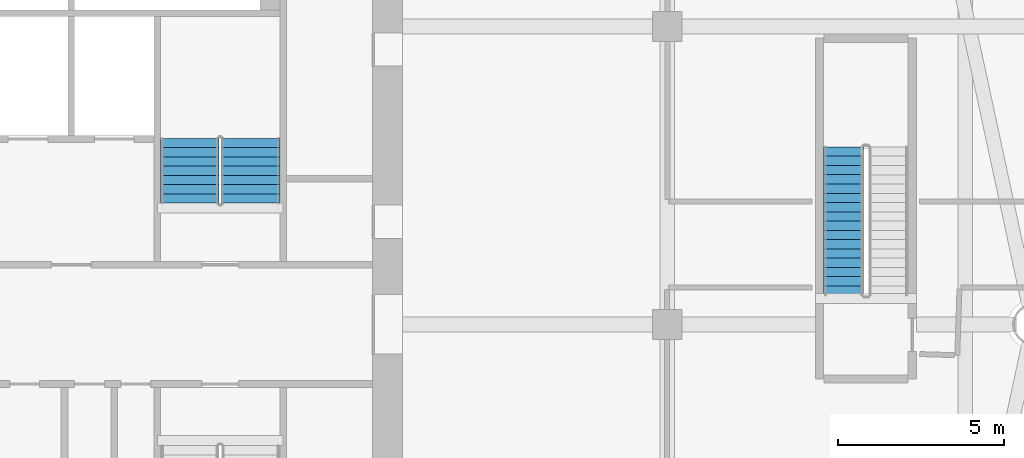
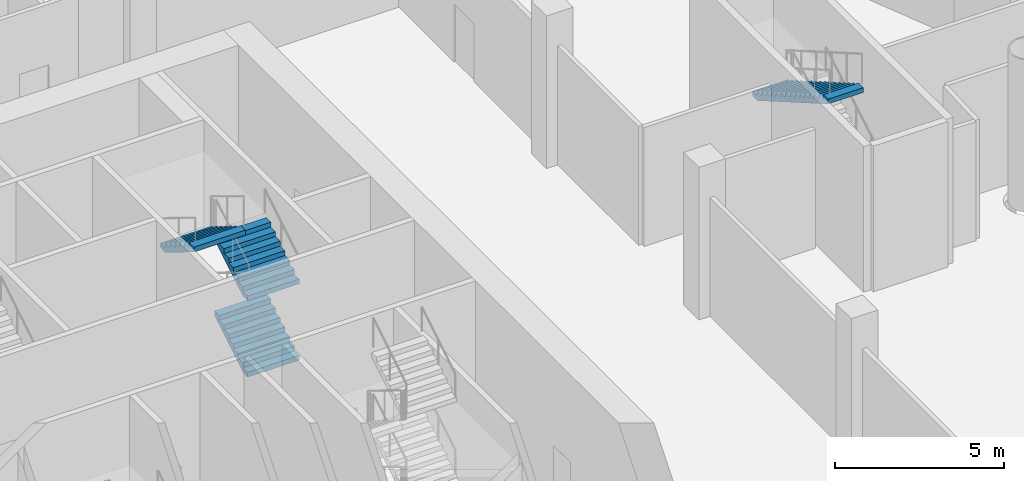
# One storey, part 16 of 23: 4 stair flights, 2 elements without a shape of their own.
"""IFC4 building model written with IfcOpenShell, lengths in metres."""

from ifc_helpers import new_model, si_unit, direction, frame, origin, place, context, subcontext, project, spatial, faceted_brep, material, type_object, element, aggregate, save


model = new_model("IFC4")

# Units and contexts
model_context = context("Model", 3, precision=1e-05, world=origin(), true_north=direction((0.0, 1.0)))
body_context = subcontext(model_context, "Body", "Model", "MODEL_VIEW")
ifc_project = project(units=[si_unit("LENGTHUNIT", "METRE"), si_unit("AREAUNIT", "SQUARE_METRE"), si_unit("VOLUMEUNIT", "CUBIC_METRE"), si_unit("PLANEANGLEUNIT", "RADIAN"), si_unit("MASSUNIT", "GRAM", prefix="KILO")], contexts=[model_context])

# Site, building, storey
site_placement = place(None, origin())
site = spatial("IfcSite", under=ifc_project, at=site_placement, CompositionType="ELEMENT")
building_placement = place(site_placement, origin())
building = spatial("IfcBuilding", under=site, at=building_placement, Name="Tarsis Ring Headquarters", CompositionType="ELEMENT")
storey_placement = place(building_placement, frame((0.0, 0.0, 19.5)))
storey = spatial("IfcBuildingStorey", under=building, at=storey_placement, Name="L03", CompositionType="ELEMENT", Elevation=19.5)

# Stair, stair flights
ifc_material_1 = material(Name="Core stair 1760")
stair_type_1 = type_object("IfcStairType", Name="Core stair 1760", PredefinedType="HALF_TURN_STAIR", material=ifc_material_1)
stair_1_placement = place(storey_placement, origin())
stair_1 = element("IfcStair", 1, at=stair_1_placement, inside=storey, type_object=stair_type_1, Name="L03 Exit stair B", PredefinedType="HALF_TURN_STAIR")
ifc_material_2 = material(Name="Concrete C40/50", Category="concrete")
stair_flight_type_1 = type_object("IfcStairFlightType", Name="Core stair flight 1760", PredefinedType="STRAIGHT", material=ifc_material_2)
stair_flight_1_placement = place(storey_placement, frame((5.419921875, 3.659912109375, 0.0), z_axis=(0.0, 0.0, 1.0), x_axis=(0.0, 1.0, 0.0)))
stair_flight_1 = element("IfcStairFlight", 2, at=stair_flight_1_placement, type_object=stair_flight_type_1, Name="Stair ST2 flight 1", NumberOfRisers=8, NumberOfTreads=7, PredefinedType="STRAIGHT", RiserHeight=0.171875, TreadLength=0.28, context=body_context, shape_type="Brep", body=[
    faceted_brep([(0.0, 0.8798828125, 0.0), (0.0, 0.8798828125, 0.171875), (0.280029296875, 0.8798828125, 0.171875), (0.280029296875, 0.8798828125, 0.34375), (0.56005859375, 0.8798828125, 0.34375), (0.56005859375, 0.8798828125, 0.515625), (0.840087890625, 0.8798828125, 0.515625), (0.840087890625, 0.8798828125, 0.6875), (1.1201171875, 0.8798828125, 0.6875), (1.1201171875, 0.8798828125, 0.859375), (1.39990234375, 0.8798828125, 0.859375), (1.39990234375, 0.8798828125, 1.03125), (1.679931640625, 0.8798828125, 1.03125), (1.679931640625, 0.8798828125, 1.203125), (1.9599609375, 0.8798828125, 1.203125), (1.9599609375, 0.8798828125, 1.02734375), (0.28662109375, 0.8798828125, 0.0), (0.28662109375, -0.8798828125, 0.0), (1.9599609375, -0.8798828125, 1.02734375), (1.9599609375, -0.8798828125, 1.203125), (1.679931640625, -0.8798828125, 1.203125), (1.679931640625, -0.8798828125, 1.03125), (1.39990234375, -0.8798828125, 1.03125), (1.39990234375, -0.8798828125, 0.859375), (1.1201171875, -0.8798828125, 0.859375), (1.1201171875, -0.8798828125, 0.6875), (0.840087890625, -0.8798828125, 0.6875), (0.840087890625, -0.8798828125, 0.515625), (0.56005859375, -0.8798828125, 0.515625), (0.56005859375, -0.8798828125, 0.34375), (0.280029296875, -0.8798828125, 0.34375), (0.280029296875, -0.8798828125, 0.171875), (0.0, -0.8798828125, 0.171875), (0.0, -0.8798828125, 0.0), (0.0, -0.43994140625, 0.171875), (0.0, -0.43994140625, 0.0), (0.0, 0.0, 0.171875), (0.0, 0.0, 0.0), (0.0, 0.43994140625, 0.171875), (0.0, 0.43994140625, 0.0), (0.280029296875, -0.43994140625, 0.171875), (0.280029296875, 0.0, 0.171875), (0.280029296875, 0.43994140625, 0.171875), (0.280029296875, -0.43994140625, 0.34375), (0.280029296875, 0.0, 0.34375), (0.280029296875, 0.43994140625, 0.34375), (0.56005859375, -0.43994140625, 0.34375), (0.56005859375, 0.0, 0.34375), (0.56005859375, 0.43994140625, 0.34375), (0.56005859375, -0.43994140625, 0.515625), (0.56005859375, 0.0, 0.515625), (0.56005859375, 0.43994140625, 0.515625), (0.840087890625, -0.43994140625, 0.515625), (0.840087890625, 0.0, 0.515625), (0.840087890625, 0.43994140625, 0.515625), (0.840087890625, -0.43994140625, 0.6875), (0.840087890625, 0.0, 0.6875), (0.840087890625, 0.43994140625, 0.6875), (1.1201171875, -0.43994140625, 0.6875), (1.1201171875, 0.0, 0.6875), (1.1201171875, 0.43994140625, 0.6875), (1.1201171875, -0.43994140625, 0.859375), (1.1201171875, 0.0, 0.859375), (1.1201171875, 0.43994140625, 0.859375), (1.39990234375, -0.43994140625, 0.859375), (1.39990234375, 0.0, 0.859375), (1.39990234375, 0.43994140625, 0.859375), (1.39990234375, -0.43994140625, 1.03125), (1.39990234375, 0.0, 1.03125), (1.39990234375, 0.43994140625, 1.03125), (1.679931640625, -0.43994140625, 1.03125), (1.679931640625, 0.0, 1.03125), (1.679931640625, 0.43994140625, 1.03125), (1.679931640625, -0.43994140625, 1.203125), (1.679931640625, 0.0, 1.203125), (1.679931640625, 0.43994140625, 1.203125), (1.9599609375, -0.43994140625, 1.203125), (1.9599609375, 0.0, 1.203125), (1.9599609375, 0.43994140625, 1.203125), (1.9599609375, -0.43994140625, 1.02734375), (1.9599609375, 0.0, 1.02734375), (1.9599609375, 0.43994140625, 1.02734375), (0.28662109375, -0.43994140625, 0.0), (0.28662109375, 0.0, 0.0), (0.28662109375, 0.43994140625, 0.0)], [[[0, 1, 2, 3, 4, 5, 6, 7, 8, 9, 10, 11, 12, 13, 14, 15, 16]], [[17, 18, 19, 20, 21, 22, 23, 24, 25, 26, 27, 28, 29, 30, 31, 32, 33]], [[33, 32, 34, 35]], [[35, 34, 36, 37]], [[37, 36, 38, 39]], [[39, 38, 1, 0]], [[32, 31, 40, 34]], [[34, 40, 41, 36]], [[36, 41, 42, 38]], [[38, 42, 2, 1]], [[31, 30, 43, 40]], [[40, 43, 44, 41]], [[41, 44, 45, 42]], [[42, 45, 3, 2]], [[30, 29, 46, 43]], [[43, 46, 47, 44]], [[44, 47, 48, 45]], [[45, 48, 4, 3]], [[29, 28, 49, 46]], [[46, 49, 50, 47]], [[47, 50, 51, 48]], [[48, 51, 5, 4]], [[28, 27, 52, 49]], [[49, 52, 53, 50]], [[50, 53, 54, 51]], [[51, 54, 6, 5]], [[27, 26, 55, 52]], [[52, 55, 56, 53]], [[53, 56, 57, 54]], [[54, 57, 7, 6]], [[26, 25, 58, 55]], [[55, 58, 59, 56]], [[56, 59, 60, 57]], [[57, 60, 8, 7]], [[25, 24, 61, 58]], [[58, 61, 62, 59]], [[59, 62, 63, 60]], [[60, 63, 9, 8]], [[24, 23, 64, 61]], [[61, 64, 65, 62]], [[62, 65, 66, 63]], [[63, 66, 10, 9]], [[23, 22, 67, 64]], [[64, 67, 68, 65]], [[65, 68, 69, 66]], [[66, 69, 11, 10]], [[22, 21, 70, 67]], [[67, 70, 71, 68]], [[68, 71, 72, 69]], [[69, 72, 12, 11]], [[21, 20, 73, 70]], [[70, 73, 74, 71]], [[71, 74, 75, 72]], [[72, 75, 13, 12]], [[20, 19, 76, 73]], [[73, 76, 77, 74]], [[74, 77, 78, 75]], [[75, 78, 14, 13]], [[19, 18, 79, 76]], [[76, 79, 80, 77]], [[77, 80, 81, 78]], [[78, 81, 15, 14]], [[18, 17, 82, 79]], [[79, 82, 83, 80]], [[80, 83, 84, 81]], [[81, 84, 16, 15]], [[17, 33, 35, 82]], [[82, 35, 37, 83]], [[83, 37, 39, 84]], [[84, 39, 0, 16]]]),
])
stair_flight_2_placement = place(storey_placement, frame((5.419921875, 3.659912109375, 2.75), z_axis=(0.0, 0.0, 1.0), x_axis=(0.0, 1.0, 0.0)))
stair_flight_2 = element("IfcStairFlight", 3, at=stair_flight_2_placement, type_object=stair_flight_type_1, Name="Stair ST2 flight 3", NumberOfRisers=8, NumberOfTreads=7, PredefinedType="STRAIGHT", RiserHeight=0.171875, TreadLength=0.28, context=body_context, shape_type="Brep", body=[
    faceted_brep([(0.0, 0.8798828125, 0.0), (0.0, 0.8798828125, 0.171875), (0.280029296875, 0.8798828125, 0.171875), (0.280029296875, 0.8798828125, 0.34375), (0.56005859375, 0.8798828125, 0.34375), (0.56005859375, 0.8798828125, 0.515625), (0.840087890625, 0.8798828125, 0.515625), (0.840087890625, 0.8798828125, 0.6875), (1.1201171875, 0.8798828125, 0.6875), (1.1201171875, 0.8798828125, 0.859375), (1.39990234375, 0.8798828125, 0.859375), (1.39990234375, 0.8798828125, 1.03125), (1.679931640625, 0.8798828125, 1.03125), (1.679931640625, 0.8798828125, 1.203125), (1.9599609375, 0.8798828125, 1.203125), (1.9599609375, 0.8798828125, 1.02734375), (0.28662109375, 0.8798828125, 0.0), (0.28662109375, -0.8798828125, 0.0), (1.9599609375, -0.8798828125, 1.02734375), (1.9599609375, -0.8798828125, 1.203125), (1.679931640625, -0.8798828125, 1.203125), (1.679931640625, -0.8798828125, 1.03125), (1.39990234375, -0.8798828125, 1.03125), (1.39990234375, -0.8798828125, 0.859375), (1.1201171875, -0.8798828125, 0.859375), (1.1201171875, -0.8798828125, 0.6875), (0.840087890625, -0.8798828125, 0.6875), (0.840087890625, -0.8798828125, 0.515625), (0.56005859375, -0.8798828125, 0.515625), (0.56005859375, -0.8798828125, 0.34375), (0.280029296875, -0.8798828125, 0.34375), (0.280029296875, -0.8798828125, 0.171875), (0.0, -0.8798828125, 0.171875), (0.0, -0.8798828125, 0.0), (0.0, -0.43994140625, 0.171875), (0.0, -0.43994140625, 0.0), (0.0, 0.0, 0.171875), (0.0, 0.0, 0.0), (0.0, 0.43994140625, 0.171875), (0.0, 0.43994140625, 0.0), (0.280029296875, -0.43994140625, 0.171875), (0.280029296875, 0.0, 0.171875), (0.280029296875, 0.43994140625, 0.171875), (0.280029296875, -0.43994140625, 0.34375), (0.280029296875, 0.0, 0.34375), (0.280029296875, 0.43994140625, 0.34375), (0.56005859375, -0.43994140625, 0.34375), (0.56005859375, 0.0, 0.34375), (0.56005859375, 0.43994140625, 0.34375), (0.56005859375, -0.43994140625, 0.515625), (0.56005859375, 0.0, 0.515625), (0.56005859375, 0.43994140625, 0.515625), (0.840087890625, -0.43994140625, 0.515625), (0.840087890625, 0.0, 0.515625), (0.840087890625, 0.43994140625, 0.515625), (0.840087890625, -0.43994140625, 0.6875), (0.840087890625, 0.0, 0.6875), (0.840087890625, 0.43994140625, 0.6875), (1.1201171875, -0.43994140625, 0.6875), (1.1201171875, 0.0, 0.6875), (1.1201171875, 0.43994140625, 0.6875), (1.1201171875, -0.43994140625, 0.859375), (1.1201171875, 0.0, 0.859375), (1.1201171875, 0.43994140625, 0.859375), (1.39990234375, -0.43994140625, 0.859375), (1.39990234375, 0.0, 0.859375), (1.39990234375, 0.43994140625, 0.859375), (1.39990234375, -0.43994140625, 1.03125), (1.39990234375, 0.0, 1.03125), (1.39990234375, 0.43994140625, 1.03125), (1.679931640625, -0.43994140625, 1.03125), (1.679931640625, 0.0, 1.03125), (1.679931640625, 0.43994140625, 1.03125), (1.679931640625, -0.43994140625, 1.203125), (1.679931640625, 0.0, 1.203125), (1.679931640625, 0.43994140625, 1.203125), (1.9599609375, -0.43994140625, 1.203125), (1.9599609375, 0.0, 1.203125), (1.9599609375, 0.43994140625, 1.203125), (1.9599609375, -0.43994140625, 1.02734375), (1.9599609375, 0.0, 1.02734375), (1.9599609375, 0.43994140625, 1.02734375), (0.28662109375, -0.43994140625, 0.0), (0.28662109375, 0.0, 0.0), (0.28662109375, 0.43994140625, 0.0)], [[[0, 1, 2, 3, 4, 5, 6, 7, 8, 9, 10, 11, 12, 13, 14, 15, 16]], [[17, 18, 19, 20, 21, 22, 23, 24, 25, 26, 27, 28, 29, 30, 31, 32, 33]], [[33, 32, 34, 35]], [[35, 34, 36, 37]], [[37, 36, 38, 39]], [[39, 38, 1, 0]], [[32, 31, 40, 34]], [[34, 40, 41, 36]], [[36, 41, 42, 38]], [[38, 42, 2, 1]], [[31, 30, 43, 40]], [[40, 43, 44, 41]], [[41, 44, 45, 42]], [[42, 45, 3, 2]], [[30, 29, 46, 43]], [[43, 46, 47, 44]], [[44, 47, 48, 45]], [[45, 48, 4, 3]], [[29, 28, 49, 46]], [[46, 49, 50, 47]], [[47, 50, 51, 48]], [[48, 51, 5, 4]], [[28, 27, 52, 49]], [[49, 52, 53, 50]], [[50, 53, 54, 51]], [[51, 54, 6, 5]], [[27, 26, 55, 52]], [[52, 55, 56, 53]], [[53, 56, 57, 54]], [[54, 57, 7, 6]], [[26, 25, 58, 55]], [[55, 58, 59, 56]], [[56, 59, 60, 57]], [[57, 60, 8, 7]], [[25, 24, 61, 58]], [[58, 61, 62, 59]], [[59, 62, 63, 60]], [[60, 63, 9, 8]], [[24, 23, 64, 61]], [[61, 64, 65, 62]], [[62, 65, 66, 63]], [[63, 66, 10, 9]], [[23, 22, 67, 64]], [[64, 67, 68, 65]], [[65, 68, 69, 66]], [[66, 69, 11, 10]], [[22, 21, 70, 67]], [[67, 70, 71, 68]], [[68, 71, 72, 69]], [[69, 72, 12, 11]], [[21, 20, 73, 70]], [[70, 73, 74, 71]], [[71, 74, 75, 72]], [[72, 75, 13, 12]], [[20, 19, 76, 73]], [[73, 76, 77, 74]], [[74, 77, 78, 75]], [[75, 78, 14, 13]], [[19, 18, 79, 76]], [[76, 79, 80, 77]], [[77, 80, 81, 78]], [[78, 81, 15, 14]], [[18, 17, 82, 79]], [[79, 82, 83, 80]], [[80, 83, 84, 81]], [[81, 84, 16, 15]], [[17, 33, 35, 82]], [[82, 35, 37, 83]], [[83, 37, 39, 84]], [[84, 39, 0, 16]]]),
])
stair_flight_3_placement = place(storey_placement, frame((3.580078125, 5.6201171875, 4.125), z_axis=(0.0, 0.0, 1.0), x_axis=(0.0, -1.0, 0.0)))
stair_flight_3 = element("IfcStairFlight", 4, at=stair_flight_3_placement, type_object=stair_flight_type_1, Name="Stair ST2 flight 4", NumberOfRisers=8, NumberOfTreads=7, PredefinedType="STRAIGHT", RiserHeight=0.171875, TreadLength=0.28, context=body_context, shape_type="Brep", body=[
    faceted_brep([(0.0, 0.8798828125, 0.0), (0.0, 0.8798828125, 0.171875), (0.280029296875, 0.8798828125, 0.171875), (0.280029296875, 0.8798828125, 0.34375), (0.56005859375, 0.8798828125, 0.34375), (0.56005859375, 0.8798828125, 0.515625), (0.840087890625, 0.8798828125, 0.515625), (0.840087890625, 0.8798828125, 0.6875), (1.1201171875, 0.8798828125, 0.6875), (1.1201171875, 0.8798828125, 0.859375), (1.39990234375, 0.8798828125, 0.859375), (1.39990234375, 0.8798828125, 1.03125), (1.679931640625, 0.8798828125, 1.03125), (1.679931640625, 0.8798828125, 1.203125), (1.9599609375, 0.8798828125, 1.203125), (1.9599609375, 0.8798828125, 1.02734375), (0.28662109375, 0.8798828125, 0.0), (0.28662109375, -0.8798828125, 0.0), (1.9599609375, -0.8798828125, 1.02734375), (1.9599609375, -0.8798828125, 1.203125), (1.679931640625, -0.8798828125, 1.203125), (1.679931640625, -0.8798828125, 1.03125), (1.39990234375, -0.8798828125, 1.03125), (1.39990234375, -0.8798828125, 0.859375), (1.1201171875, -0.8798828125, 0.859375), (1.1201171875, -0.8798828125, 0.6875), (0.840087890625, -0.8798828125, 0.6875), (0.840087890625, -0.8798828125, 0.515625), (0.56005859375, -0.8798828125, 0.515625), (0.56005859375, -0.8798828125, 0.34375), (0.280029296875, -0.8798828125, 0.34375), (0.280029296875, -0.8798828125, 0.171875), (0.0, -0.8798828125, 0.171875), (0.0, -0.8798828125, 0.0), (0.0, -0.43994140625, 0.171875), (0.0, -0.43994140625, 0.0), (0.0, 0.0, 0.171875), (0.0, 0.0, 0.0), (0.0, 0.43994140625, 0.171875), (0.0, 0.43994140625, 0.0), (0.280029296875, -0.43994140625, 0.171875), (0.280029296875, 0.0, 0.171875), (0.280029296875, 0.43994140625, 0.171875), (0.280029296875, -0.43994140625, 0.34375), (0.280029296875, 0.0, 0.34375), (0.280029296875, 0.43994140625, 0.34375), (0.56005859375, -0.43994140625, 0.34375), (0.56005859375, 0.0, 0.34375), (0.56005859375, 0.43994140625, 0.34375), (0.56005859375, -0.43994140625, 0.515625), (0.56005859375, 0.0, 0.515625), (0.56005859375, 0.43994140625, 0.515625), (0.840087890625, -0.43994140625, 0.515625), (0.840087890625, 0.0, 0.515625), (0.840087890625, 0.43994140625, 0.515625), (0.840087890625, -0.43994140625, 0.6875), (0.840087890625, 0.0, 0.6875), (0.840087890625, 0.43994140625, 0.6875), (1.1201171875, -0.43994140625, 0.6875), (1.1201171875, 0.0, 0.6875), (1.1201171875, 0.43994140625, 0.6875), (1.1201171875, -0.43994140625, 0.859375), (1.1201171875, 0.0, 0.859375), (1.1201171875, 0.43994140625, 0.859375), (1.39990234375, -0.43994140625, 0.859375), (1.39990234375, 0.0, 0.859375), (1.39990234375, 0.43994140625, 0.859375), (1.39990234375, -0.43994140625, 1.03125), (1.39990234375, 0.0, 1.03125), (1.39990234375, 0.43994140625, 1.03125), (1.679931640625, -0.43994140625, 1.03125), (1.679931640625, 0.0, 1.03125), (1.679931640625, 0.43994140625, 1.03125), (1.679931640625, -0.43994140625, 1.203125), (1.679931640625, 0.0, 1.203125), (1.679931640625, 0.43994140625, 1.203125), (1.9599609375, -0.43994140625, 1.203125), (1.9599609375, 0.0, 1.203125), (1.9599609375, 0.43994140625, 1.203125), (1.9599609375, -0.43994140625, 1.02734375), (1.9599609375, 0.0, 1.02734375), (1.9599609375, 0.43994140625, 1.02734375), (0.28662109375, -0.43994140625, 0.0), (0.28662109375, 0.0, 0.0), (0.28662109375, 0.43994140625, 0.0)], [[[0, 1, 2, 3, 4, 5, 6, 7, 8, 9, 10, 11, 12, 13, 14, 15, 16]], [[17, 18, 19, 20, 21, 22, 23, 24, 25, 26, 27, 28, 29, 30, 31, 32, 33]], [[33, 32, 34, 35]], [[35, 34, 36, 37]], [[37, 36, 38, 39]], [[39, 38, 1, 0]], [[32, 31, 40, 34]], [[34, 40, 41, 36]], [[36, 41, 42, 38]], [[38, 42, 2, 1]], [[31, 30, 43, 40]], [[40, 43, 44, 41]], [[41, 44, 45, 42]], [[42, 45, 3, 2]], [[30, 29, 46, 43]], [[43, 46, 47, 44]], [[44, 47, 48, 45]], [[45, 48, 4, 3]], [[29, 28, 49, 46]], [[46, 49, 50, 47]], [[47, 50, 51, 48]], [[48, 51, 5, 4]], [[28, 27, 52, 49]], [[49, 52, 53, 50]], [[50, 53, 54, 51]], [[51, 54, 6, 5]], [[27, 26, 55, 52]], [[52, 55, 56, 53]], [[53, 56, 57, 54]], [[54, 57, 7, 6]], [[26, 25, 58, 55]], [[55, 58, 59, 56]], [[56, 59, 60, 57]], [[57, 60, 8, 7]], [[25, 24, 61, 58]], [[58, 61, 62, 59]], [[59, 62, 63, 60]], [[60, 63, 9, 8]], [[24, 23, 64, 61]], [[61, 64, 65, 62]], [[62, 65, 66, 63]], [[63, 66, 10, 9]], [[23, 22, 67, 64]], [[64, 67, 68, 65]], [[65, 68, 69, 66]], [[66, 69, 11, 10]], [[22, 21, 70, 67]], [[67, 70, 71, 68]], [[68, 71, 72, 69]], [[69, 72, 12, 11]], [[21, 20, 73, 70]], [[70, 73, 74, 71]], [[71, 74, 75, 72]], [[72, 75, 13, 12]], [[20, 19, 76, 73]], [[73, 76, 77, 74]], [[74, 77, 78, 75]], [[75, 78, 14, 13]], [[19, 18, 79, 76]], [[76, 79, 80, 77]], [[77, 80, 81, 78]], [[78, 81, 15, 14]], [[18, 17, 82, 79]], [[79, 82, 83, 80]], [[80, 83, 84, 81]], [[81, 84, 16, 15]], [[17, 33, 35, 82]], [[82, 35, 37, 83]], [[83, 37, 39, 84]], [[84, 39, 0, 16]]]),
])
aggregate(stair_1, [stair_flight_1, stair_flight_2, stair_flight_3])

# Stair, stair flight
stair_type_2 = type_object("IfcStairType", Name="PO-ST", PredefinedType="HALF_TURN_STAIR", material=ifc_material_2)
stair_2_placement = place(storey_placement, origin())
stair_2 = element("IfcStair", 5, at=stair_2_placement, inside=storey, type_object=stair_type_2, Name="L03 Podium stair", PredefinedType="HALF_TURN_STAIR")
stair_flight_type_2 = type_object("IfcStairFlightType", Name="PO-STF", PredefinedType="STRAIGHT", material=ifc_material_2)
stair_flight_4_placement = place(storey_placement, frame((23.324951171875, 5.360107421875, 2.75), z_axis=(0.0, 0.0, 1.0), x_axis=(0.0, -1.0, 0.0)))
stair_flight_4 = element("IfcStairFlight", 6, at=stair_flight_4_placement, type_object=stair_flight_type_2, Name="Stair PS1 flight 2", NumberOfRisers=17, NumberOfTreads=16, PredefinedType="STRAIGHT", RiserHeight=0.161764706, TreadLength=0.28, context=body_context, shape_type="Brep", body=[
    faceted_brep([(0.0, 0.60009765625, 0.0), (0.0, 0.60009765625, 0.161865234375), (0.280029296875, 0.60009765625, 0.161865234375), (0.280029296875, 0.60009765625, 0.323486328125), (0.56005859375, 0.60009765625, 0.323486328125), (0.56005859375, 0.60009765625, 0.4853515625), (0.840087890625, 0.60009765625, 0.4853515625), (0.840087890625, 0.60009765625, 0.64697265625), (1.1201171875, 0.60009765625, 0.64697265625), (1.1201171875, 0.60009765625, 0.808837890625), (1.39990234375, 0.60009765625, 0.808837890625), (1.39990234375, 0.60009765625, 0.970703125), (1.679931640625, 0.60009765625, 0.970703125), (1.679931640625, 0.60009765625, 1.13232421875), (1.9599609375, 0.60009765625, 1.13232421875), (1.9599609375, 0.60009765625, 1.294189453125), (2.239990234375, 0.60009765625, 1.294189453125), (2.239990234375, 0.60009765625, 1.455810546875), (2.52001953125, 0.60009765625, 1.455810546875), (2.52001953125, 0.60009765625, 1.61767578125), (2.800048828125, 0.60009765625, 1.61767578125), (2.800048828125, 0.60009765625, 1.779296875), (3.080078125, 0.60009765625, 1.779296875), (3.080078125, 0.60009765625, 1.941162109375), (3.360107421875, 0.60009765625, 1.941162109375), (3.360107421875, 0.60009765625, 2.10302734375), (3.639892578125, 0.60009765625, 2.10302734375), (3.639892578125, 0.60009765625, 2.2646484375), (3.919921875, 0.60009765625, 2.2646484375), (3.919921875, 0.60009765625, 2.426513671875), (4.199951171875, 0.60009765625, 2.426513671875), (4.199951171875, 0.60009765625, 2.588134765625), (4.47998046875, 0.60009765625, 2.588134765625), (4.47998046875, 0.60009765625, 2.4150390625), (0.299560546875, 0.60009765625, 0.0), (0.299560546875, -0.60009765625, 0.0), (4.47998046875, -0.60009765625, 2.4150390625), (4.47998046875, -0.60009765625, 2.588134765625), (4.199951171875, -0.60009765625, 2.588134765625), (4.199951171875, -0.60009765625, 2.426513671875), (3.919921875, -0.60009765625, 2.426513671875), (3.919921875, -0.60009765625, 2.2646484375), (3.639892578125, -0.60009765625, 2.2646484375), (3.639892578125, -0.60009765625, 2.10302734375), (3.360107421875, -0.60009765625, 2.10302734375), (3.360107421875, -0.60009765625, 1.941162109375), (3.080078125, -0.60009765625, 1.941162109375), (3.080078125, -0.60009765625, 1.779296875), (2.800048828125, -0.60009765625, 1.779296875), (2.800048828125, -0.60009765625, 1.61767578125), (2.52001953125, -0.60009765625, 1.61767578125), (2.52001953125, -0.60009765625, 1.455810546875), (2.239990234375, -0.60009765625, 1.455810546875), (2.239990234375, -0.60009765625, 1.294189453125), (1.9599609375, -0.60009765625, 1.294189453125), (1.9599609375, -0.60009765625, 1.13232421875), (1.679931640625, -0.60009765625, 1.13232421875), (1.679931640625, -0.60009765625, 0.970703125), (1.39990234375, -0.60009765625, 0.970703125), (1.39990234375, -0.60009765625, 0.808837890625), (1.1201171875, -0.60009765625, 0.808837890625), (1.1201171875, -0.60009765625, 0.64697265625), (0.840087890625, -0.60009765625, 0.64697265625), (0.840087890625, -0.60009765625, 0.4853515625), (0.56005859375, -0.60009765625, 0.4853515625), (0.56005859375, -0.60009765625, 0.323486328125), (0.280029296875, -0.60009765625, 0.323486328125), (0.280029296875, -0.60009765625, 0.161865234375), (0.0, -0.60009765625, 0.161865234375), (0.0, -0.60009765625, 0.0), (0.0, -0.300048828125, 0.161865234375), (0.0, -0.300048828125, 0.0), (0.0, 0.0, 0.161865234375), (0.0, 0.0, 0.0), (0.0, 0.300048828125, 0.161865234375), (0.0, 0.300048828125, 0.0), (0.280029296875, -0.300048828125, 0.161865234375), (0.280029296875, 0.0, 0.161865234375), (0.280029296875, 0.300048828125, 0.161865234375), (0.280029296875, -0.300048828125, 0.323486328125), (0.280029296875, 0.0, 0.323486328125), (0.280029296875, 0.300048828125, 0.323486328125), (0.56005859375, -0.300048828125, 0.323486328125), (0.56005859375, 0.0, 0.323486328125), (0.56005859375, 0.300048828125, 0.323486328125), (0.56005859375, -0.300048828125, 0.4853515625), (0.56005859375, 0.0, 0.4853515625), (0.56005859375, 0.300048828125, 0.4853515625), (0.840087890625, -0.300048828125, 0.4853515625), (0.840087890625, 0.0, 0.4853515625), (0.840087890625, 0.300048828125, 0.4853515625), (0.840087890625, -0.300048828125, 0.64697265625), (0.840087890625, 0.0, 0.64697265625), (0.840087890625, 0.300048828125, 0.64697265625), (1.1201171875, -0.300048828125, 0.64697265625), (1.1201171875, 0.0, 0.64697265625), (1.1201171875, 0.300048828125, 0.64697265625), (1.1201171875, -0.300048828125, 0.808837890625), (1.1201171875, 0.0, 0.808837890625), (1.1201171875, 0.300048828125, 0.808837890625), (1.39990234375, -0.300048828125, 0.808837890625), (1.39990234375, 0.0, 0.808837890625), (1.39990234375, 0.300048828125, 0.808837890625), (1.39990234375, -0.300048828125, 0.970703125), (1.39990234375, 0.0, 0.970703125), (1.39990234375, 0.300048828125, 0.970703125), (1.679931640625, -0.300048828125, 0.970703125), (1.679931640625, 0.0, 0.970703125), (1.679931640625, 0.300048828125, 0.970703125), (1.679931640625, -0.300048828125, 1.13232421875), (1.679931640625, 0.0, 1.13232421875), (1.679931640625, 0.300048828125, 1.13232421875), (1.9599609375, -0.300048828125, 1.13232421875), (1.9599609375, 0.0, 1.13232421875), (1.9599609375, 0.300048828125, 1.13232421875), (1.9599609375, -0.300048828125, 1.294189453125), (1.9599609375, 0.0, 1.294189453125), (1.9599609375, 0.300048828125, 1.294189453125), (2.239990234375, -0.300048828125, 1.294189453125), (2.239990234375, 0.0, 1.294189453125), (2.239990234375, 0.300048828125, 1.294189453125), (2.239990234375, -0.300048828125, 1.455810546875), (2.239990234375, 0.0, 1.455810546875), (2.239990234375, 0.300048828125, 1.455810546875), (2.52001953125, -0.300048828125, 1.455810546875), (2.52001953125, 0.0, 1.455810546875), (2.52001953125, 0.300048828125, 1.455810546875), (2.52001953125, -0.300048828125, 1.61767578125), (2.52001953125, 0.0, 1.61767578125), (2.52001953125, 0.300048828125, 1.61767578125), (2.800048828125, -0.300048828125, 1.61767578125), (2.800048828125, 0.0, 1.61767578125), (2.800048828125, 0.300048828125, 1.61767578125), (2.800048828125, -0.300048828125, 1.779296875), (2.800048828125, 0.0, 1.779296875), (2.800048828125, 0.300048828125, 1.779296875), (3.080078125, -0.300048828125, 1.779296875), (3.080078125, 0.0, 1.779296875), (3.080078125, 0.300048828125, 1.779296875), (3.080078125, -0.300048828125, 1.941162109375), (3.080078125, 0.0, 1.941162109375), (3.080078125, 0.300048828125, 1.941162109375), (3.360107421875, -0.300048828125, 1.941162109375), (3.360107421875, 0.0, 1.941162109375), (3.360107421875, 0.300048828125, 1.941162109375), (3.360107421875, -0.300048828125, 2.10302734375), (3.360107421875, 0.0, 2.10302734375), (3.360107421875, 0.300048828125, 2.10302734375), (3.639892578125, -0.300048828125, 2.10302734375), (3.639892578125, 0.0, 2.10302734375), (3.639892578125, 0.300048828125, 2.10302734375), (3.639892578125, -0.300048828125, 2.2646484375), (3.639892578125, 0.0, 2.2646484375), (3.639892578125, 0.300048828125, 2.2646484375), (3.919921875, -0.300048828125, 2.2646484375), (3.919921875, 0.0, 2.2646484375), (3.919921875, 0.300048828125, 2.2646484375), (3.919921875, -0.300048828125, 2.426513671875), (3.919921875, 0.0, 2.426513671875), (3.919921875, 0.300048828125, 2.426513671875), (4.199951171875, -0.300048828125, 2.426513671875), (4.199951171875, 0.0, 2.426513671875), (4.199951171875, 0.300048828125, 2.426513671875), (4.199951171875, -0.300048828125, 2.588134765625), (4.199951171875, 0.0, 2.588134765625), (4.199951171875, 0.300048828125, 2.588134765625), (4.47998046875, -0.300048828125, 2.588134765625), (4.47998046875, 0.0, 2.588134765625), (4.47998046875, 0.300048828125, 2.588134765625), (4.47998046875, -0.300048828125, 2.4150390625), (4.47998046875, 0.0, 2.4150390625), (4.47998046875, 0.300048828125, 2.4150390625), (0.299560546875, -0.300048828125, 0.0), (0.299560546875, 0.0, 0.0), (0.299560546875, 0.300048828125, 0.0)], [[[0, 1, 2, 3, 4, 5, 6, 7, 8, 9, 10, 11, 12, 13, 14, 15, 16, 17, 18, 19, 20, 21, 22, 23, 24, 25, 26, 27, 28, 29, 30, 31, 32, 33, 34]], [[35, 36, 37, 38, 39, 40, 41, 42, 43, 44, 45, 46, 47, 48, 49, 50, 51, 52, 53, 54, 55, 56, 57, 58, 59, 60, 61, 62, 63, 64, 65, 66, 67, 68, 69]], [[69, 68, 70, 71]], [[71, 70, 72, 73]], [[73, 72, 74, 75]], [[75, 74, 1, 0]], [[68, 67, 76, 70]], [[70, 76, 77, 72]], [[72, 77, 78, 74]], [[74, 78, 2, 1]], [[67, 66, 79, 76]], [[76, 79, 80, 77]], [[77, 80, 81, 78]], [[78, 81, 3, 2]], [[66, 65, 82, 79]], [[79, 82, 83, 80]], [[80, 83, 84, 81]], [[81, 84, 4, 3]], [[65, 64, 85, 82]], [[82, 85, 86, 83]], [[83, 86, 87, 84]], [[84, 87, 5, 4]], [[64, 63, 88, 85]], [[85, 88, 89, 86]], [[86, 89, 90, 87]], [[87, 90, 6, 5]], [[63, 62, 91, 88]], [[88, 91, 92, 89]], [[89, 92, 93, 90]], [[90, 93, 7, 6]], [[62, 61, 94, 91]], [[91, 94, 95, 92]], [[92, 95, 96, 93]], [[93, 96, 8, 7]], [[61, 60, 97, 94]], [[94, 97, 98, 95]], [[95, 98, 99, 96]], [[96, 99, 9, 8]], [[60, 59, 100, 97]], [[97, 100, 101, 98]], [[98, 101, 102, 99]], [[99, 102, 10, 9]], [[59, 58, 103, 100]], [[100, 103, 104, 101]], [[101, 104, 105, 102]], [[102, 105, 11, 10]], [[58, 57, 106, 103]], [[103, 106, 107, 104]], [[104, 107, 108, 105]], [[105, 108, 12, 11]], [[57, 56, 109, 106]], [[106, 109, 110, 107]], [[107, 110, 111, 108]], [[108, 111, 13, 12]], [[56, 55, 112, 109]], [[109, 112, 113, 110]], [[110, 113, 114, 111]], [[111, 114, 14, 13]], [[55, 54, 115, 112]], [[112, 115, 116, 113]], [[113, 116, 117, 114]], [[114, 117, 15, 14]], [[54, 53, 118, 115]], [[115, 118, 119, 116]], [[116, 119, 120, 117]], [[117, 120, 16, 15]], [[53, 52, 121, 118]], [[118, 121, 122, 119]], [[119, 122, 123, 120]], [[120, 123, 17, 16]], [[52, 51, 124, 121]], [[121, 124, 125, 122]], [[122, 125, 126, 123]], [[123, 126, 18, 17]], [[51, 50, 127, 124]], [[124, 127, 128, 125]], [[125, 128, 129, 126]], [[126, 129, 19, 18]], [[50, 49, 130, 127]], [[127, 130, 131, 128]], [[128, 131, 132, 129]], [[129, 132, 20, 19]], [[49, 48, 133, 130]], [[130, 133, 134, 131]], [[131, 134, 135, 132]], [[132, 135, 21, 20]], [[48, 47, 136, 133]], [[133, 136, 137, 134]], [[134, 137, 138, 135]], [[135, 138, 22, 21]], [[47, 46, 139, 136]], [[136, 139, 140, 137]], [[137, 140, 141, 138]], [[138, 141, 23, 22]], [[46, 45, 142, 139]], [[139, 142, 143, 140]], [[140, 143, 144, 141]], [[141, 144, 24, 23]], [[45, 44, 145, 142]], [[142, 145, 146, 143]], [[143, 146, 147, 144]], [[144, 147, 25, 24]], [[44, 43, 148, 145]], [[145, 148, 149, 146]], [[146, 149, 150, 147]], [[147, 150, 26, 25]], [[43, 42, 151, 148]], [[148, 151, 152, 149]], [[149, 152, 153, 150]], [[150, 153, 27, 26]], [[42, 41, 154, 151]], [[151, 154, 155, 152]], [[152, 155, 156, 153]], [[153, 156, 28, 27]], [[41, 40, 157, 154]], [[154, 157, 158, 155]], [[155, 158, 159, 156]], [[156, 159, 29, 28]], [[40, 39, 160, 157]], [[157, 160, 161, 158]], [[158, 161, 162, 159]], [[159, 162, 30, 29]], [[39, 38, 163, 160]], [[160, 163, 164, 161]], [[161, 164, 165, 162]], [[162, 165, 31, 30]], [[38, 37, 166, 163]], [[163, 166, 167, 164]], [[164, 167, 168, 165]], [[165, 168, 32, 31]], [[37, 36, 169, 166]], [[166, 169, 170, 167]], [[167, 170, 171, 168]], [[168, 171, 33, 32]], [[36, 35, 172, 169]], [[169, 172, 173, 170]], [[170, 173, 174, 171]], [[171, 174, 34, 33]], [[35, 69, 71, 172]], [[172, 71, 73, 173]], [[173, 73, 75, 174]], [[174, 75, 0, 34]]]),
])
aggregate(stair_2, [stair_flight_4])

save(model, "model.ifc")
